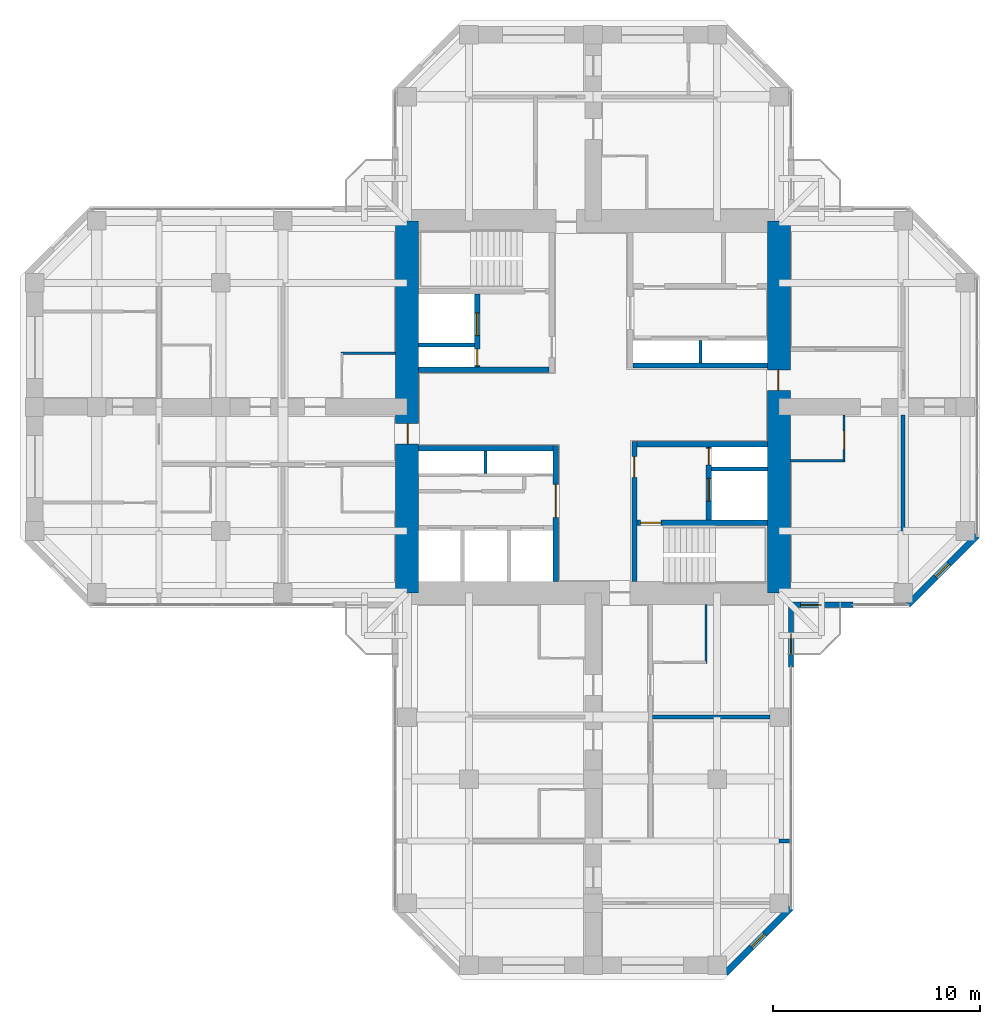
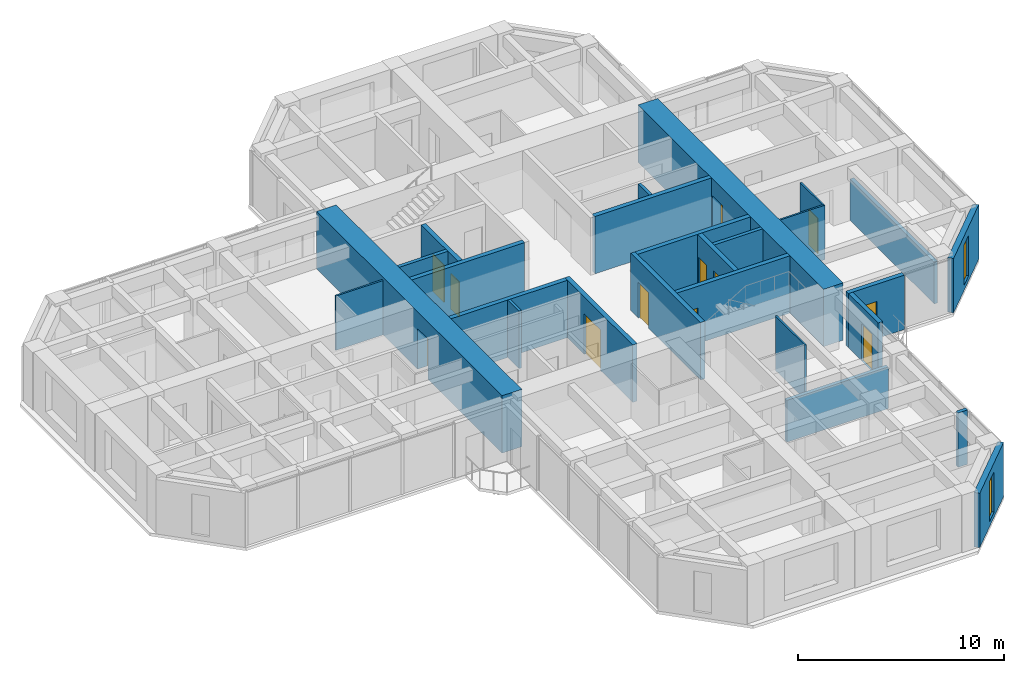
# One storey, part 10 of 13: 26 walls, 12 doors, 2 windows, 14 openings.
"""IFC4 building model written with IfcOpenShell, lengths in metres."""

from ifc_helpers import new_model, si_unit, direction, frame, frame_2d, origin, place, context, subcontext, project, spatial, rectangle, hollow_rectangle, extrude, material, layer, layer_set, constituent, constituent_set, type_object, element, fill, save


model = new_model("IFC4")

# Units and contexts
model_context = context("Model", 3, precision=1e-05, world=origin(), true_north=direction((0.0, 1.0)))
body_context = subcontext(model_context, "Body", "Model", "MODEL_VIEW")
ifc_project = project(units=[si_unit("LENGTHUNIT", "METRE"), si_unit("AREAUNIT", "SQUARE_METRE"), si_unit("VOLUMEUNIT", "CUBIC_METRE"), si_unit("PLANEANGLEUNIT", "RADIAN"), si_unit("MASSUNIT", "GRAM", prefix="KILO")], contexts=[model_context])

# Site, building, storey
site_placement = place(None, origin())
site = spatial("IfcSite", under=ifc_project, at=site_placement, CompositionType="ELEMENT")
building_placement = place(site_placement, origin())
building = spatial("IfcBuilding", under=site, at=building_placement, Name="Torre Cruceta", CompositionType="ELEMENT")
storey_placement = place(building_placement, frame((0.0, 0.0, 193.300048828125)))
storey = spatial("IfcBuildingStorey", under=building, at=storey_placement, Name="L48", CompositionType="ELEMENT", Elevation=193.300048828125)

# Wall
ifc_material_1 = material(Name="Water-resistant plasterboard on steel studs", Category="steel")
ifc_layer_1 = layer(ifc_material_1, 0.10009765625)
ifc_layer_set_1 = layer_set([ifc_layer_1], Name="Water-resistant plasterboard on steel studs")
wall_type_1 = type_object("IfcWallType", Name="BATHROOM WALL 100", PredefinedType="PARTITIONING", material=ifc_layer_set_1)
wall_1_placement = place(storey_placement, frame((9.550048828125, -2.60009765625, 0.0), z_axis=(0.0, 0.0, 1.0), x_axis=(1.0, 0.0, 0.0)))
element("IfcWall", 1, at=wall_1_placement, inside=storey, type_object=wall_type_1, Name="PT4 L48-E-U1RBB", PredefinedType="PARTITIONING", context=body_context, shape_type="SweptSolid", body=[
    extrude(rectangle(XDim=2.64990234375, YDim=0.10009765625, at=frame_2d((1.324951171875, 0.0))), origin(), (0.0, 0.0, 1.0), 3.219970703125),
])

# Wall, opening, door
wall_2_placement = place(storey_placement, frame((12.14990234375, -2.60009765625, 0.0), z_axis=(0.0, 0.0, 1.0), x_axis=(0.0, 1.0, 0.0)))
wall_2 = element("IfcWall", 2, at=wall_2_placement, inside=storey, type_object=wall_type_1, Name="PT4 L48-E-U1RBS", PredefinedType="PARTITIONING", context=body_context, shape_type="SweptSolid", body=[
    extrude(rectangle(XDim=2.2001953125, YDim=0.10009765625, at=frame_2d((1.10009765625, 0.0))), origin(), (0.0, 0.0, 1.0), 3.219970703125),
])
opening_1_placement = place(wall_2_placement, frame((0.550048828125, 0.0, 0.0)))
opening_1 = element("IfcOpeningElement", 3, at=opening_1_placement, cuts=wall_2, Name="Opening D7", PredefinedType="OPENING", context=body_context, shape_type="SweptSolid", body=[
    extrude(rectangle(XDim=0.89990234375, YDim=2.10009765625, at=frame_2d((0.449951171875, 1.050048828125))), frame((0.0, 0.06005859375, 0.0), z_axis=(0.0, -1.0, 0.0), x_axis=(1.0, 0.0, 0.0)), (0.0, 0.0, 1.0), 0.1201171875),
])
ifc_material_2 = material(Name="Timber door", Category="wood")
door_type_1 = type_object("IfcDoorType", Name="BATHROOM DOOR 900X2100", OperationType="SINGLE_SWING_LEFT", PredefinedType="DOOR", material=ifc_material_2)
door_1_placement = place(opening_1_placement, origin())
door_1 = element("IfcDoor", 4, at=door_1_placement, inside=storey, type_object=door_type_1, Name="D7 L48-E-U1RBS-D1", OperationType="SINGLE_SWING_LEFT", OverallHeight=2.10009765625, OverallWidth=0.89990234375, PredefinedType="DOOR", context=body_context, shape_type="SweptSolid", body=[
    extrude(rectangle(XDim=0.89990234375, YDim=2.10009765625, at=frame_2d((0.449951171875, 1.050048828125))), frame((0.0, 0.02490234375, 0.0), z_axis=(0.0, -1.0, 0.0), x_axis=(1.0, 0.0, 0.0)), (0.0, 0.0, 1.0), 0.050048828125),
])
fill(opening_1, door_1)

# Walls
wall_3_placement = place(storey_placement, frame((5.47509765625, -9.550048828125, 0.0), z_axis=(0.0, 0.0, 1.0), x_axis=(0.0, -1.0, 0.0)))
element("IfcWall", 5, at=wall_3_placement, inside=storey, type_object=wall_type_1, Name="PT4 L48-S-U1LBB", PredefinedType="PARTITIONING", context=body_context, shape_type="SweptSolid", body=[
    extrude(rectangle(XDim=2.849853515625, YDim=0.10009765625, at=frame_2d((1.4248046875, 0.0))), origin(), (0.0, 0.0, 1.0), 3.219970703125),
])
wall_4_placement = place(storey_placement, frame((-9.550048828125, 2.60009765625, 0.0), z_axis=(0.0, 0.0, 1.0), x_axis=(-1.0, 0.0, 0.0)))
element("IfcWall", 6, at=wall_4_placement, inside=storey, type_object=wall_type_1, Name="PT4 L48-W-U1RBB", PredefinedType="PARTITIONING", context=body_context, shape_type="SweptSolid", body=[
    extrude(rectangle(XDim=2.64990234375, YDim=0.10009765625, at=frame_2d((1.324951171875, 0.0))), origin(), (0.0, 0.0, 1.0), 3.219970703125),
])
ifc_material_3 = material(Name="Concrete G60 (fck 60 MPa)", Category="concrete")
ifc_layer_2 = layer(ifc_material_3, 0.25)
ifc_layer_set_2 = layer_set([ifc_layer_2], Name="Concrete G60 (fck 60 MPa)")
wall_type_2 = type_object("IfcWallType", Name="CORE INNER WALL 250 G60", PredefinedType="SHEAR", material=ifc_layer_set_2)
wall_5_placement = place(storey_placement, frame((1.925048828125, 2.0, 0.0), z_axis=(0.0, 0.0, 1.0), x_axis=(1.0, 0.0, 0.0)))
element("IfcWall", 7, at=wall_5_placement, inside=storey, type_object=wall_type_2, Name="CW4 L48 NE-CV", PredefinedType="SHEAR", context=body_context, shape_type="SweptSolid", body=[
    extrude(rectangle(XDim=6.52490234375, YDim=0.25, at=frame_2d((3.262451171875, 0.0))), origin(), (0.0, 0.0, 1.0), 3.39990234375),
])
wall_6_placement = place(storey_placement, frame((-2.125, 1.800048828125, 0.0), z_axis=(0.0, 0.0, 1.0), x_axis=(-1.0, 0.0, 0.0)))
element("IfcWall", 8, at=wall_6_placement, inside=storey, type_object=wall_type_2, Name="CW4 L48 NW-CV", PredefinedType="SHEAR", context=body_context, shape_type="SweptSolid", body=[
    extrude(rectangle(XDim=6.324951171875, YDim=0.25, at=frame_2d((3.16259765625, 0.0))), origin(), (0.0, 0.0, 1.0), 3.39990234375),
])

# Wall, openings, doors
wall_7_placement = place(storey_placement, frame((-5.60009765625, 1.925048828125, 0.0), z_axis=(0.0, 0.0, 1.0), x_axis=(0.0, 1.0, 0.0)))
wall_7 = element("IfcWall", 9, at=wall_7_placement, inside=storey, type_object=wall_type_2, Name="CW4 L48 NW-FU", PredefinedType="SHEAR", context=body_context, shape_type="SweptSolid", body=[
    extrude(rectangle(XDim=3.550048828125, YDim=0.25, at=frame_2d((1.77490234375, 0.0))), origin(), (0.0, 0.0, 1.0), 3.39990234375),
])
opening_2_placement = place(wall_7_placement, frame((1.52490234375, 0.0, 0.0)))
opening_2 = element("IfcOpeningElement", 10, at=opening_2_placement, cuts=wall_7, Name="Opening LD1", PredefinedType="OPENING", context=body_context, shape_type="SweptSolid", body=[
    extrude(rectangle(XDim=1.10009765625, YDim=2.199951171875, at=frame_2d((0.550048828125, 1.10009765625))), frame((0.0, 0.135009765625, 0.0), z_axis=(0.0, -1.0, 0.0), x_axis=(1.0, 0.0, 0.0)), (0.0, 0.0, 1.0), 0.27001953125),
])
opening_3_placement = place(wall_7_placement, frame((0.074951171875, 0.0, 0.0)))
opening_3 = element("IfcOpeningElement", 11, at=opening_3_placement, cuts=wall_7, Name="Opening D5", PredefinedType="OPENING", context=body_context, shape_type="SweptSolid", body=[
    extrude(rectangle(XDim=0.800048828125, YDim=2.10009765625, at=frame_2d((0.39990234375, 1.050048828125))), frame((0.0, 0.135009765625, 0.0), z_axis=(0.0, -1.0, 0.0), x_axis=(1.0, 0.0, 0.0)), (0.0, 0.0, 1.0), 0.27001953125),
])
ifc_material_4 = material(Name="Stainless steel 1.4401", Category="steel")
door_type_2 = type_object("IfcDoorType", Name="LIFT LANDING DOOR 1100X2200", OperationType="DOUBLE_DOOR_SLIDING", PredefinedType="DOOR", material=ifc_material_4)
door_2_placement = place(opening_2_placement, origin())
door_2 = element("IfcDoor", 12, at=door_2_placement, inside=storey, type_object=door_type_2, Name="Lift landing door FL1", OperationType="DOUBLE_DOOR_SLIDING", OverallHeight=2.199951171875, OverallWidth=1.10009765625, PredefinedType="DOOR", context=body_context, shape_type="SweptSolid", body=[
    extrude(rectangle(XDim=1.10009765625, YDim=2.199951171875, at=frame_2d((0.550048828125, 1.10009765625))), frame((0.0, 0.02490234375, 0.0), z_axis=(0.0, -1.0, 0.0), x_axis=(1.0, 0.0, 0.0)), (0.0, 0.0, 1.0), 0.050048828125),
])
fill(opening_2, door_2)
ifc_material_5 = material(Name="Steel DX51D", Category="steel")
ifc_constituent_1 = constituent(ifc_material_5, Name="Leaf and frame")
ifc_material_6 = material(Name="Polyester powder coating", Category="paint")
ifc_constituent_2 = constituent(ifc_material_6, Name="Finish")
ifc_constituent_set_1 = constituent_set(constituents=[ifc_constituent_1, ifc_constituent_2], Name="Steel fire door")
door_type_3 = type_object("IfcDoorType", Name="RISER ACCESS DOOR 800X2100", OperationType="SINGLE_SWING_LEFT", PredefinedType="DOOR", material=ifc_constituent_set_1)
door_3_placement = place(opening_3_placement, origin())
door_3 = element("IfcDoor", 13, at=door_3_placement, inside=storey, type_object=door_type_3, Name="D5 L48 NW-RISER", OperationType="SINGLE_SWING_LEFT", OverallHeight=2.10009765625, OverallWidth=0.800048828125, PredefinedType="DOOR", context=body_context, shape_type="SweptSolid", body=[
    extrude(rectangle(XDim=0.800048828125, YDim=2.10009765625, at=frame_2d((0.39990234375, 1.050048828125))), frame((0.0, 0.02490234375, 0.0), z_axis=(0.0, -1.0, 0.0), x_axis=(1.0, 0.0, 0.0)), (0.0, 0.0, 1.0), 0.050048828125),
])
fill(opening_3, door_3)

# Wall, opening, door
wall_8_placement = place(storey_placement, frame((-1.800048828125, -1.875, 0.0), z_axis=(0.0, 0.0, 1.0), x_axis=(0.0, -1.0, 0.0)))
wall_8 = element("IfcWall", 14, at=wall_8_placement, inside=storey, type_object=wall_type_2, Name="CW4 L48 SW-CU", PredefinedType="SHEAR", context=body_context, shape_type="SweptSolid", body=[
    extrude(rectangle(XDim=6.574951171875, YDim=0.25, at=frame_2d((3.28759765625, 0.0))), origin(), (0.0, 0.0, 1.0), 3.39990234375),
])
opening_4_placement = place(wall_8_placement, frame((1.875, 0.0, 0.0)))
opening_4 = element("IfcOpeningElement", 15, at=opening_4_placement, cuts=wall_8, Name="Opening D8", PredefinedType="OPENING", context=body_context, shape_type="SweptSolid", body=[
    extrude(rectangle(XDim=1.60009765625, YDim=2.39990234375, at=frame_2d((0.800048828125, 1.199951171875))), frame((0.0, 0.135009765625, 0.0), z_axis=(0.0, -1.0, 0.0), x_axis=(1.0, 0.0, 0.0)), (0.0, 0.0, 1.0), 0.27001953125),
])
ifc_material_7 = material(Name="Steel DX51D", Category="steel")
ifc_constituent_3 = constituent(ifc_material_7, Name="Leaf and frame")
ifc_material_8 = material(Name="Polyester powder coating", Category="paint")
ifc_constituent_4 = constituent(ifc_material_8, Name="Finish")
ifc_material_9 = material(Name="Fire-resisting glass", Category="glass")
ifc_constituent_5 = constituent(ifc_material_9, Name="Vision panel")
ifc_constituent_set_2 = constituent_set(constituents=[ifc_constituent_3, ifc_constituent_4, ifc_constituent_5], Name="Steel fire door with vision panels")
door_type_4 = type_object("IfcDoorType", Name="LIFT LOBBY DOUBLE DOOR 1600X2400", OperationType="DOUBLE_DOOR_DOUBLE_SWING", PredefinedType="DOOR", material=ifc_constituent_set_2)
door_4_placement = place(opening_4_placement, origin())
door_4 = element("IfcDoor", 16, at=door_4_placement, inside=storey, type_object=door_type_4, Name="D8 L48 SW-LOBBY", OperationType="DOUBLE_DOOR_DOUBLE_SWING", OverallHeight=2.39990234375, OverallWidth=1.60009765625, PredefinedType="DOOR", context=body_context, shape_type="SweptSolid", body=[
    extrude(rectangle(XDim=1.60009765625, YDim=2.39990234375, at=frame_2d((0.800048828125, 1.199951171875))), frame((0.0, 0.02490234375, 0.0), z_axis=(0.0, -1.0, 0.0), x_axis=(1.0, 0.0, 0.0)), (0.0, 0.0, 1.0), 0.050048828125),
])
fill(opening_4, door_4)

# Wall
wall_9_placement = place(storey_placement, frame((-1.925048828125, -2.0, 0.0), z_axis=(0.0, 0.0, 1.0), x_axis=(-1.0, 0.0, 0.0)))
element("IfcWall", 17, at=wall_9_placement, inside=storey, type_object=wall_type_2, Name="CW4 L48 SW-CV", PredefinedType="SHEAR", context=body_context, shape_type="SweptSolid", body=[
    extrude(rectangle(XDim=6.52490234375, YDim=0.25, at=frame_2d((3.262451171875, 0.0))), origin(), (0.0, 0.0, 1.0), 3.39990234375),
])

# Wall, opening, door
wall_10_placement = place(storey_placement, frame((2.0, -1.675048828125, 0.0), z_axis=(0.0, 0.0, 1.0), x_axis=(0.0, -1.0, 0.0)))
wall_10 = element("IfcWall", 18, at=wall_10_placement, inside=storey, type_object=wall_type_2, Name="CW4 L48 SE-CU", PredefinedType="SHEAR", context=body_context, shape_type="SweptSolid", body=[
    extrude(rectangle(XDim=6.77490234375, YDim=0.25, at=frame_2d((3.387451171875, 0.0))), origin(), (0.0, 0.0, 1.0), 3.39990234375),
])
opening_5_placement = place(wall_10_placement, frame((0.72509765625, 0.0, 0.0)))
opening_5 = element("IfcOpeningElement", 19, at=opening_5_placement, cuts=wall_10, Name="Opening D3", PredefinedType="OPENING", context=body_context, shape_type="SweptSolid", body=[
    extrude(rectangle(XDim=1.0, YDim=2.10009765625, at=frame_2d((0.5, 1.050048828125))), frame((0.0, 0.135009765625, 0.0), z_axis=(0.0, -1.0, 0.0), x_axis=(1.0, 0.0, 0.0)), (0.0, 0.0, 1.0), 0.27001953125),
])
ifc_material_10 = material(Name="Steel DX51D", Category="steel")
ifc_constituent_6 = constituent(ifc_material_10, Name="Leaf and frame")
ifc_material_11 = material(Name="Polyester powder coating", Category="paint")
ifc_constituent_7 = constituent(ifc_material_11, Name="Finish")
ifc_constituent_set_3 = constituent_set(constituents=[ifc_constituent_6, ifc_constituent_7], Name="Steel fire door")
door_type_5 = type_object("IfcDoorType", Name="FIRE DOOR 1000X2100", OperationType="SINGLE_SWING_LEFT", PredefinedType="DOOR", material=ifc_constituent_set_3)
door_5_placement = place(opening_5_placement, origin())
door_5 = element("IfcDoor", 20, at=door_5_placement, inside=storey, type_object=door_type_5, Name="D3 L48 SE-LOBBY", OperationType="SINGLE_SWING_LEFT", OverallHeight=2.10009765625, OverallWidth=1.0, PredefinedType="DOOR", context=body_context, shape_type="SweptSolid", body=[
    extrude(rectangle(XDim=1.0, YDim=2.10009765625, at=frame_2d((0.5, 1.050048828125))), frame((0.0, 0.02490234375, 0.0), z_axis=(0.0, -1.0, 0.0), x_axis=(1.0, 0.0, 0.0)), (0.0, 0.0, 1.0), 0.050048828125),
])
fill(opening_5, door_5)

# Wall
wall_11_placement = place(storey_placement, frame((2.125, -1.800048828125, 0.0), z_axis=(0.0, 0.0, 1.0), x_axis=(1.0, 0.0, 0.0)))
element("IfcWall", 21, at=wall_11_placement, inside=storey, type_object=wall_type_2, Name="CW4 L48 SE-CV", PredefinedType="SHEAR", context=body_context, shape_type="SweptSolid", body=[
    extrude(rectangle(XDim=6.324951171875, YDim=0.25, at=frame_2d((3.16259765625, 0.0))), origin(), (0.0, 0.0, 1.0), 3.39990234375),
])

# Wall, opening, door
wall_12_placement = place(storey_placement, frame((2.125, -5.60009765625, 0.0), z_axis=(0.0, 0.0, 1.0), x_axis=(1.0, 0.0, 0.0)))
wall_12 = element("IfcWall", 22, at=wall_12_placement, inside=storey, type_object=wall_type_2, Name="CW4 L48 SE-SV", PredefinedType="SHEAR", context=body_context, shape_type="SweptSolid", body=[
    extrude(rectangle(XDim=6.324951171875, YDim=0.25, at=frame_2d((3.16259765625, 0.0))), origin(), (0.0, 0.0, 1.0), 3.39990234375),
])
opening_6_placement = place(wall_12_placement, frame((0.175048828125, 0.0, 0.0)))
opening_6 = element("IfcOpeningElement", 23, at=opening_6_placement, cuts=wall_12, Name="Opening D3", PredefinedType="OPENING", context=body_context, shape_type="SweptSolid", body=[
    extrude(rectangle(XDim=1.0, YDim=2.10009765625, at=frame_2d((0.5, 1.050048828125))), frame((0.0, 0.135009765625, 0.0), z_axis=(0.0, -1.0, 0.0), x_axis=(1.0, 0.0, 0.0)), (0.0, 0.0, 1.0), 0.27001953125),
])
door_6_placement = place(opening_6_placement, frame((1.0, 0.0, 0.0), z_axis=(0.0, 0.0, 1.0), x_axis=(-1.0, 0.0, 0.0)))
door_6 = element("IfcDoor", 24, at=door_6_placement, inside=storey, type_object=door_type_5, Name="D3 L48 SE-STAIR", OperationType="SINGLE_SWING_RIGHT", OverallHeight=2.10009765625, OverallWidth=1.0, PredefinedType="DOOR", context=body_context, shape_type="SweptSolid", body=[
    extrude(rectangle(XDim=1.0, YDim=2.10009765625, at=frame_2d((0.5, 1.050048828125))), frame((0.0, 0.025146484375, 0.0), z_axis=(0.0, -1.0, 0.0), x_axis=(1.0, 0.0, 0.0)), (0.0, 0.0, 1.0), 0.050048828125),
])
fill(opening_6, door_6)

# Wall, openings, doors
wall_13_placement = place(storey_placement, frame((5.60009765625, -1.925048828125, 0.0), z_axis=(0.0, 0.0, 1.0), x_axis=(0.0, -1.0, 0.0)))
wall_13 = element("IfcWall", 25, at=wall_13_placement, inside=storey, type_object=wall_type_2, Name="CW4 L48 SE-FU", PredefinedType="SHEAR", context=body_context, shape_type="SweptSolid", body=[
    extrude(rectangle(XDim=3.550048828125, YDim=0.25, at=frame_2d((1.77490234375, 0.0))), origin(), (0.0, 0.0, 1.0), 3.39990234375),
])
opening_7_placement = place(wall_13_placement, frame((1.52490234375, 0.0, 0.0)))
opening_7 = element("IfcOpeningElement", 26, at=opening_7_placement, cuts=wall_13, Name="Opening LD1", PredefinedType="OPENING", context=body_context, shape_type="SweptSolid", body=[
    extrude(rectangle(XDim=1.10009765625, YDim=2.199951171875, at=frame_2d((0.550048828125, 1.10009765625))), frame((0.0, 0.135009765625, 0.0), z_axis=(0.0, -1.0, 0.0), x_axis=(1.0, 0.0, 0.0)), (0.0, 0.0, 1.0), 0.27001953125),
])
opening_8_placement = place(wall_13_placement, frame((0.074951171875, 0.0, 0.0)))
opening_8 = element("IfcOpeningElement", 27, at=opening_8_placement, cuts=wall_13, Name="Opening D5", PredefinedType="OPENING", context=body_context, shape_type="SweptSolid", body=[
    extrude(rectangle(XDim=0.800048828125, YDim=2.10009765625, at=frame_2d((0.39990234375, 1.050048828125))), frame((0.0, 0.135009765625, 0.0), z_axis=(0.0, -1.0, 0.0), x_axis=(1.0, 0.0, 0.0)), (0.0, 0.0, 1.0), 0.27001953125),
])
door_7_placement = place(opening_7_placement, origin())
door_7 = element("IfcDoor", 28, at=door_7_placement, inside=storey, type_object=door_type_2, Name="Lift landing door FL2", OperationType="DOUBLE_DOOR_SLIDING", OverallHeight=2.199951171875, OverallWidth=1.10009765625, PredefinedType="DOOR", context=body_context, shape_type="SweptSolid", body=[
    extrude(rectangle(XDim=1.10009765625, YDim=2.199951171875, at=frame_2d((0.550048828125, 1.10009765625))), frame((0.0, 0.02490234375, 0.0), z_axis=(0.0, -1.0, 0.0), x_axis=(1.0, 0.0, 0.0)), (0.0, 0.0, 1.0), 0.050048828125),
])
fill(opening_7, door_7)
door_8_placement = place(opening_8_placement, origin())
door_8 = element("IfcDoor", 29, at=door_8_placement, inside=storey, type_object=door_type_3, Name="D5 L48 SE-RISER", OperationType="SINGLE_SWING_LEFT", OverallHeight=2.10009765625, OverallWidth=0.800048828125, PredefinedType="DOOR", context=body_context, shape_type="SweptSolid", body=[
    extrude(rectangle(XDim=0.800048828125, YDim=2.10009765625, at=frame_2d((0.39990234375, 1.050048828125))), frame((0.0, 0.02490234375, 0.0), z_axis=(0.0, -1.0, 0.0), x_axis=(1.0, 0.0, 0.0)), (0.0, 0.0, 1.0), 0.050048828125),
])
fill(opening_8, door_8)

# Wall, opening, door
ifc_material_12 = material(Name="Concrete G60 (fck 60 MPa)", Category="concrete")
ifc_layer_3 = layer(ifc_material_12, 1.10009765625)
ifc_layer_set_3 = layer_set([ifc_layer_3], Name="Concrete G60 (fck 60 MPa)")
wall_type_3 = type_object("IfcWallType", Name="CORE WALL 1100 G60", PredefinedType="SHEAR", material=ifc_layer_set_3)
wall_14_placement = place(storey_placement, frame((9.0, -9.0, 0.0), z_axis=(0.0, 0.0, 1.0), x_axis=(0.0, 1.0, 0.0)))
wall_14 = element("IfcWall", 30, at=wall_14_placement, inside=storey, type_object=wall_type_3, Name="CW2 L48 CW-E", PredefinedType="SHEAR", context=body_context, shape_type="SweptSolid", body=[
    extrude(rectangle(XDim=18.0, YDim=1.10009765625, at=frame_2d((9.0, 0.0))), origin(), (0.0, 0.0, 1.0), 3.39990234375),
])
opening_9_placement = place(wall_14_placement, frame((9.800048828125, 0.0, 0.0)))
opening_9 = element("IfcOpeningElement", 31, at=opening_9_placement, cuts=wall_14, Name="Opening D4", PredefinedType="OPENING", context=body_context, shape_type="SweptSolid", body=[
    extrude(rectangle(XDim=1.0, YDim=2.39990234375, at=frame_2d((0.5, 1.199951171875))), frame((0.0, 0.56005859375, 0.0), z_axis=(0.0, -1.0, 0.0), x_axis=(1.0, 0.0, 0.0)), (0.0, 0.0, 1.0), 1.1201171875),
])
ifc_material_13 = material(Name="Steel DX51D", Category="steel")
ifc_constituent_8 = constituent(ifc_material_13, Name="Leaf and frame")
ifc_material_14 = material(Name="Polyester powder coating", Category="paint")
ifc_constituent_9 = constituent(ifc_material_14, Name="Finish")
ifc_constituent_set_4 = constituent_set(constituents=[ifc_constituent_8, ifc_constituent_9], Name="Steel fire door")
door_type_6 = type_object("IfcDoorType", Name="CORE ARM DOOR 1000X2400", OperationType="SINGLE_SWING_RIGHT", PredefinedType="DOOR", material=ifc_constituent_set_4)
door_9_placement = place(opening_9_placement, origin())
door_9 = element("IfcDoor", 32, at=door_9_placement, inside=storey, type_object=door_type_6, Name="D4 L48 CW-E", OperationType="SINGLE_SWING_RIGHT", OverallHeight=2.39990234375, OverallWidth=1.0, PredefinedType="DOOR", context=body_context, shape_type="SweptSolid", body=[
    extrude(rectangle(XDim=1.0, YDim=2.39990234375, at=frame_2d((0.5, 1.199951171875))), frame((0.0, 0.05517578125, 0.0), z_axis=(0.0, -1.0, 0.0), x_axis=(1.0, 0.0, 0.0)), (0.0, 0.0, 1.0), 0.050048828125),
])
fill(opening_9, door_9)

wall_15_placement = place(storey_placement, frame((-9.0, 9.0, 0.0), z_axis=(0.0, 0.0, 1.0), x_axis=(0.0, -1.0, 0.0)))
wall_15 = element("IfcWall", 33, at=wall_15_placement, inside=storey, type_object=wall_type_3, Name="CW2 L48 CW-W", PredefinedType="SHEAR", context=body_context, shape_type="SweptSolid", body=[
    extrude(rectangle(XDim=18.0, YDim=1.10009765625, at=frame_2d((9.0, 0.0))), origin(), (0.0, 0.0, 1.0), 3.39990234375),
])
opening_10_placement = place(wall_15_placement, frame((9.800048828125, 0.0, 0.0)))
opening_10 = element("IfcOpeningElement", 34, at=opening_10_placement, cuts=wall_15, Name="Opening D4", PredefinedType="OPENING", context=body_context, shape_type="SweptSolid", body=[
    extrude(rectangle(XDim=1.0, YDim=2.39990234375, at=frame_2d((0.5, 1.199951171875))), frame((0.0, 0.56005859375, 0.0), z_axis=(0.0, -1.0, 0.0), x_axis=(1.0, 0.0, 0.0)), (0.0, 0.0, 1.0), 1.1201171875),
])
door_10_placement = place(opening_10_placement, origin())
door_10 = element("IfcDoor", 35, at=door_10_placement, inside=storey, type_object=door_type_6, Name="D4 L48 CW-W", OperationType="SINGLE_SWING_RIGHT", OverallHeight=2.39990234375, OverallWidth=1.0, PredefinedType="DOOR", context=body_context, shape_type="SweptSolid", body=[
    extrude(rectangle(XDim=1.0, YDim=2.39990234375, at=frame_2d((0.5, 1.199951171875))), frame((0.0, 0.05517578125, 0.0), z_axis=(0.0, -1.0, 0.0), x_axis=(1.0, 0.0, 0.0)), (0.0, 0.0, 1.0), 0.050048828125),
])
fill(opening_10, door_10)

# Wall, opening, window
ifc_material_15 = material(Name="Concrete G30 (fck 30 MPa)", Category="concrete")
ifc_layer_4 = layer(ifc_material_15, 0.300048828125)
ifc_layer_set_4 = layer_set([ifc_layer_4], Name="Concrete G30 (fck 30 MPa)")
wall_type_4 = type_object("IfcWallType", Name="EXPOSED CONCRETE FACADE WALL 300", PredefinedType="SOLIDWALL", material=ifc_layer_set_4)
wall_16_placement = place(storey_placement, frame((15.236083984375, -9.570068359375, 0.0), z_axis=(0.0, 0.0, 1.0), x_axis=(0.707106781187, 0.707106781187, 0.0)))
wall_16 = element("IfcWall", 36, at=wall_16_placement, inside=storey, type_object=wall_type_4, Name="EW1 facade wall L48 E chamfer 01", PredefinedType="SOLIDWALL", context=body_context, shape_type="SweptSolid", body=[
    extrude(rectangle(XDim=4.715087890625, YDim=0.300048828125, at=frame_2d((2.357421875, 0.0))), origin(), (0.0, 0.0, 1.0), 3.219970703125),
])
opening_11_placement = place(wall_16_placement, frame((1.907470703125, 0.0, 0.300048828125)))
opening_11 = element("IfcOpeningElement", 37, at=opening_11_placement, cuts=wall_16, Name="Opening WN5", PredefinedType="OPENING", context=body_context, shape_type="SweptSolid", body=[
    extrude(rectangle(XDim=0.89990234375, YDim=2.39990234375, at=frame_2d((0.449951171875, 1.199951171875))), frame((0.0, 0.159912109375, 0.0), z_axis=(0.0, -1.0, 0.0), x_axis=(1.0, 0.0, 0.0)), (0.0, 0.0, 1.0), 0.320068359375),
])
ifc_material_16 = material(Name="Aluminium window frame", Category="aluminium")
ifc_constituent_10 = constituent(ifc_material_16, Name="Frame")
ifc_material_17 = material(Name="Laminated insulating glass unit, low-iron clear", Category="glass")
ifc_constituent_11 = constituent(ifc_material_17, Name="Glazing")
ifc_constituent_set_5 = constituent_set(constituents=[ifc_constituent_10, ifc_constituent_11], Name="Aluminium window")
window_type = type_object("IfcWindowType", Name="CHAMFER SLOT WINDOW 900X2400", PartitioningType="SINGLE_PANEL", PredefinedType="WINDOW", material=ifc_constituent_set_5)
window_1_placement = place(opening_11_placement, origin())
window_1 = element("IfcWindow", 38, at=window_1_placement, inside=storey, type_object=window_type, Name="WN5 L48 E 1", OverallHeight=2.39990234375, OverallWidth=0.89990234375, PartitioningType="SINGLE_PANEL", PredefinedType="WINDOW", context=body_context, shape_type="SweptSolid", body=[
    extrude(hollow_rectangle(XDim=0.89990234375, YDim=2.39990234375, WallThickness=0.06005859375, at=frame_2d((0.449951171875, 1.199951171875))), frame((0.0, 0.030029296875, 0.0), z_axis=(0.0, -1.0, 0.0), x_axis=(1.0, 0.0, 0.0)), (0.0, 0.0, 1.0), 0.06005859375),
    extrude(rectangle(XDim=0.77880859375, YDim=2.27880859375, at=frame_2d((0.449951171875, 1.199951171875))), frame((0.0, 0.030029296875, 0.0), z_axis=(0.0, -1.0, 0.0), x_axis=(1.0, 0.0, 0.0)), (0.0, 0.0, 1.0), 0.06005859375),
])
fill(opening_11, window_1)

wall_17_placement = place(storey_placement, frame((6.406005859375, -27.39990234375, 0.0), z_axis=(0.0, 0.0, 1.0), x_axis=(0.707134062067, 0.707079499254, 0.0)))
wall_17 = element("IfcWall", 39, at=wall_17_placement, inside=storey, type_object=wall_type_4, Name="EW1 facade wall L48 S chamfer 18", PredefinedType="SOLIDWALL", context=body_context, shape_type="SweptSolid", body=[
    extrude(rectangle(XDim=4.474609375, YDim=0.300048828125, at=frame_2d((2.2373046875, 0.0))), origin(), (0.0, 0.0, 1.0), 3.219970703125),
])
opening_12_placement = place(wall_17_placement, frame((1.787109375, 0.0, 0.300048828125)))
opening_12 = element("IfcOpeningElement", 40, at=opening_12_placement, cuts=wall_17, Name="Opening WN5", PredefinedType="OPENING", context=body_context, shape_type="SweptSolid", body=[
    extrude(rectangle(XDim=0.89990234375, YDim=2.39990234375, at=frame_2d((0.449951171875, 1.199951171875))), frame((0.0, 0.159912109375, 0.0), z_axis=(0.0, -1.0, 0.0), x_axis=(1.0, 0.0, 0.0)), (0.0, 0.0, 1.0), 0.320068359375),
])
window_2_placement = place(opening_12_placement, origin())
window_2 = element("IfcWindow", 41, at=window_2_placement, inside=storey, type_object=window_type, Name="WN5 L48 S 1", OverallHeight=2.39990234375, OverallWidth=0.89990234375, PartitioningType="SINGLE_PANEL", PredefinedType="WINDOW", context=body_context, shape_type="SweptSolid", body=[
    extrude(hollow_rectangle(XDim=0.89990234375, YDim=2.39990234375, WallThickness=0.06005859375, at=frame_2d((0.449951171875, 1.199951171875))), frame((0.0, 0.030029296875, 0.0), z_axis=(0.0, -1.0, 0.0), x_axis=(1.0, 0.0, 0.0)), (0.0, 0.0, 1.0), 0.06005859375),
    extrude(rectangle(XDim=0.77880859375, YDim=2.27880859375, at=frame_2d((0.449951171875, 1.199951171875))), frame((0.0, 0.030029296875, 0.0), z_axis=(0.0, -1.0, 0.0), x_axis=(1.0, 0.0, 0.0)), (0.0, 0.0, 1.0), 0.06005859375),
])
fill(opening_12, window_2)

# Walls
ifc_material_18 = material(Name="Concrete G35 (fck 35 MPa)", Category="concrete")
ifc_layer_5 = layer(ifc_material_18, 0.199951171875)
ifc_layer_set_5 = layer_set([ifc_layer_5], Name="Concrete G35 (fck 35 MPa)")
wall_type_5 = type_object("IfcWallType", Name="LIFT SHAFT WALL 200", PredefinedType="PARTITIONING", material=ifc_layer_set_5)
for number, where, z_axis, x_axis, name in (
    (42, (-5.72509765625, 3.0, 0.0), (0.0, 0.0, 1.0), (-1.0, 0.0, 0.0), "SW1 L48 NW-FR"),
    (43, (5.72509765625, -3.0, 0.0), (0.0, 0.0, 1.0), (1.0, 0.0, 0.0), "SW1 L48 SE-FR"),
):
    element("IfcWall", number, at=place(storey_placement, frame(where, z_axis=z_axis, x_axis=x_axis)), inside=storey, type_object=wall_type_5, Name=name, PredefinedType="PARTITIONING", context=body_context, shape_type="SweptSolid", body=[
        extrude(rectangle(XDim=2.724853515625, YDim=0.199951171875, at=frame_2d((1.3623046875, 0.0))), origin(), (0.0, 0.0, 1.0), 3.39990234375),
    ])
ifc_material_19 = material(Name="Concrete block masonry", Category="masonry")
ifc_layer_6 = layer(ifc_material_19, 0.14990234375)
ifc_layer_set_6 = layer_set([ifc_layer_6], Name="Concrete block masonry")
wall_type_6 = type_object("IfcWallType", Name="RISER WALL 150", PredefinedType="PARTITIONING", material=ifc_layer_set_6)
for number, where, z_axis, x_axis, name in (
    (44, (5.199951171875, 2.125, 0.0), (0.0, 0.0, 1.0), (0.0, 1.0, 0.0), "SW7 L48 NE-RU"),
    (45, (-5.199951171875, -2.125, 0.0), (0.0, 0.0, 1.0), (0.0, -1.0, 0.0), "SW7 L48 SW-RU"),
):
    element("IfcWall", number, at=place(storey_placement, frame(where, z_axis=z_axis, x_axis=x_axis)), inside=storey, type_object=wall_type_6, Name=name, PredefinedType="PARTITIONING", context=body_context, shape_type="SweptSolid", body=[
        extrude(rectangle(XDim=1.10009765625, YDim=0.14990234375, at=frame_2d((0.550048828125, 0.0))), origin(), (0.0, 0.0, 1.0), 3.39990234375),
    ])
ifc_material_20 = material(Name="Concrete G25 (fck 25 MPa)", Category="concrete")
ifc_layer_7 = layer(ifc_material_20, 0.199951171875)
ifc_layer_set_7 = layer_set([ifc_layer_7], Name="Concrete G25 (fck 25 MPa)")
wall_type_7 = type_object("IfcWallType", Name="UNIT SEPARATING WALL 200", PredefinedType="SOLIDWALL", material=ifc_layer_set_7)
wall_18_placement = place(storey_placement, frame((15.0, -8.550048828125, 0.0), z_axis=(0.0, 0.0, 1.0), x_axis=(0.0, 1.0, 0.0)))
element("IfcWall", 46, at=wall_18_placement, inside=storey, type_object=wall_type_7, Name="PT2 L48-E-ENDa", PredefinedType="SOLIDWALL", context=body_context, shape_type="SweptSolid", body=[
    extrude(rectangle(XDim=8.150146484375, YDim=0.199951171875, at=frame_2d((4.0751953125, 0.0))), origin(), (0.0, 0.0, 1.0), 2.469970703125),
])
wall_19_placement = place(storey_placement, frame((2.875, -15.0, 0.0), z_axis=(0.0, 0.0, 1.0), x_axis=(1.0, 0.0, 0.0)))
element("IfcWall", 47, at=wall_19_placement, inside=storey, type_object=wall_type_7, Name="PT2 L48-S-P1L", PredefinedType="SOLIDWALL", context=body_context, shape_type="SweptSolid", body=[
    extrude(rectangle(XDim=5.675048828125, YDim=0.199951171875, at=frame_2d((2.83740234375, 0.0))), origin(), (0.0, 0.0, 1.0), 2.469970703125),
])
wall_20_placement = place(storey_placement, frame((9.0, -21.0, 0.0), z_axis=(0.0, 0.0, 1.0), x_axis=(1.0, 0.0, 0.0)))
element("IfcWall", 48, at=wall_20_placement, inside=storey, type_object=wall_type_7, Name="PT2 L48-S-ENDb 2", PredefinedType="SOLIDWALL", context=body_context, shape_type="SweptSolid", body=[
    extrude(rectangle(XDim=0.530029296875, YDim=0.199951171875, at=frame_2d((0.26513671875, 0.0))), origin(), (0.0, 0.0, 1.0), 3.219970703125),
])

# Wall, opening, door
ifc_material_21 = material(Name="Concrete G30 (fck 30 MPa)", Category="concrete")
ifc_layer_8 = layer(ifc_material_21, 0.25)
ifc_layer_set_8 = layer_set([ifc_layer_8], Name="Concrete G30 (fck 30 MPa)")
wall_type_8 = type_object("IfcWallType", Name="WINTER GARDEN WALL 250", PredefinedType="SOLIDWALL", material=ifc_layer_set_8)
wall_21_placement = place(storey_placement, frame((9.445068359375, -9.570068359375, 0.0), z_axis=(0.0, 0.0, 1.0), x_axis=(1.0, 0.0, 0.0)))
wall_21 = element("IfcWall", 49, at=wall_21_placement, inside=storey, type_object=wall_type_8, Name="EW2 winter garden wall L48 00", PredefinedType="SOLIDWALL", context=body_context, shape_type="SweptSolid", body=[
    extrude(rectangle(XDim=3.125, YDim=0.25, at=frame_2d((1.5625, 0.0))), origin(), (0.0, 0.0, 1.0), 3.219970703125),
])
opening_13_placement = place(wall_21_placement, frame((0.60009765625, 0.0, 0.0)))
opening_13 = element("IfcOpeningElement", 50, at=opening_13_placement, cuts=wall_21, Name="Opening D10", PredefinedType="OPENING", context=body_context, shape_type="SweptSolid", body=[
    extrude(rectangle(XDim=1.0, YDim=2.199951171875, at=frame_2d((0.5, 1.10009765625))), frame((0.0, 0.135009765625, 0.0), z_axis=(0.0, -1.0, 0.0), x_axis=(1.0, 0.0, 0.0)), (0.0, 0.0, 1.0), 0.27001953125),
])
ifc_material_22 = material(Name="Aluminium door frame", Category="aluminium")
ifc_constituent_12 = constituent(ifc_material_22, Name="Frame")
ifc_material_23 = material(Name="Laminated safety glass", Category="glass")
ifc_constituent_13 = constituent(ifc_material_23, Name="Glazing")
ifc_constituent_set_6 = constituent_set(constituents=[ifc_constituent_12, ifc_constituent_13], Name="Aluminium glazed door")
door_type_7 = type_object("IfcDoorType", Name="BALCONY DOOR 1000X2200", OperationType="SINGLE_SWING_RIGHT", PredefinedType="DOOR", material=ifc_constituent_set_6)
door_11_placement = place(opening_13_placement, origin())
door_11 = element("IfcDoor", 51, at=door_11_placement, inside=storey, type_object=door_type_7, Name="D10 balcony door L48 00", OperationType="SINGLE_SWING_LEFT", OverallHeight=2.199951171875, OverallWidth=1.0, PredefinedType="DOOR", context=body_context, shape_type="SweptSolid", body=[
    extrude(hollow_rectangle(XDim=1.0, YDim=2.199951171875, WallThickness=0.06005859375, at=frame_2d((0.5, 1.10009765625))), frame((0.0, 0.02490234375, 0.0), z_axis=(0.0, -1.0, 0.0), x_axis=(1.0, 0.0, 0.0)), (0.0, 0.0, 1.0), 0.050048828125),
    extrude(rectangle(XDim=0.87890625, YDim=2.078857421875, at=frame_2d((0.5, 1.10009765625))), frame((0.0, 0.02490234375, 0.0), z_axis=(0.0, -1.0, 0.0), x_axis=(1.0, 0.0, 0.0)), (0.0, 0.0, 1.0), 0.050048828125),
])
fill(opening_13, door_11)

wall_22_placement = place(storey_placement, frame((9.570068359375, -12.570068359375, 0.0), z_axis=(0.0, 0.0, 1.0), x_axis=(0.0, 1.0, 0.0)))
wall_22 = element("IfcWall", 52, at=wall_22_placement, inside=storey, type_object=wall_type_8, Name="EW2 winter garden wall L48 19", PredefinedType="SOLIDWALL", context=body_context, shape_type="SweptSolid", body=[
    extrude(rectangle(XDim=2.875, YDim=0.25, at=frame_2d((1.4375, 0.0))), origin(), (0.0, 0.0, 1.0), 3.219970703125),
])
opening_14_placement = place(wall_22_placement, frame((0.60009765625, 0.0, 0.0)))
opening_14 = element("IfcOpeningElement", 53, at=opening_14_placement, cuts=wall_22, Name="Opening D10", PredefinedType="OPENING", context=body_context, shape_type="SweptSolid", body=[
    extrude(rectangle(XDim=1.0, YDim=2.199951171875, at=frame_2d((0.5, 1.10009765625))), frame((0.0, 0.135009765625, 0.0), z_axis=(0.0, -1.0, 0.0), x_axis=(1.0, 0.0, 0.0)), (0.0, 0.0, 1.0), 0.27001953125),
])
door_12_placement = place(opening_14_placement, origin())
door_12 = element("IfcDoor", 54, at=door_12_placement, inside=storey, type_object=door_type_7, Name="D10 balcony door L48 19", OperationType="SINGLE_SWING_RIGHT", OverallHeight=2.199951171875, OverallWidth=1.0, PredefinedType="DOOR", context=body_context, shape_type="SweptSolid", body=[
    extrude(hollow_rectangle(XDim=1.0, YDim=2.199951171875, WallThickness=0.06005859375, at=frame_2d((0.5, 1.10009765625))), frame((0.0, 0.02490234375, 0.0), z_axis=(0.0, -1.0, 0.0), x_axis=(1.0, 0.0, 0.0)), (0.0, 0.0, 1.0), 0.050048828125),
    extrude(rectangle(XDim=0.87890625, YDim=2.078857421875, at=frame_2d((0.5, 1.10009765625))), frame((0.0, 0.02490234375, 0.0), z_axis=(0.0, -1.0, 0.0), x_axis=(1.0, 0.0, 0.0)), (0.0, 0.0, 1.0), 0.050048828125),
])
fill(opening_14, door_12)

save(model, "model.ifc")
